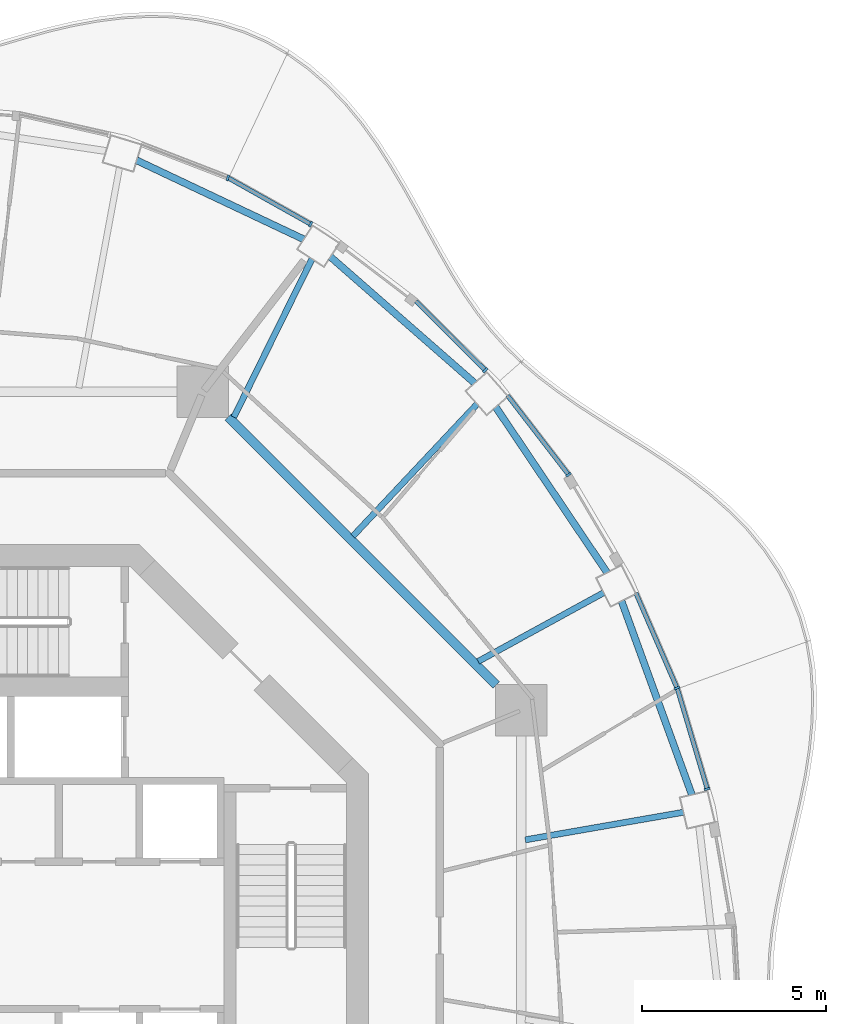
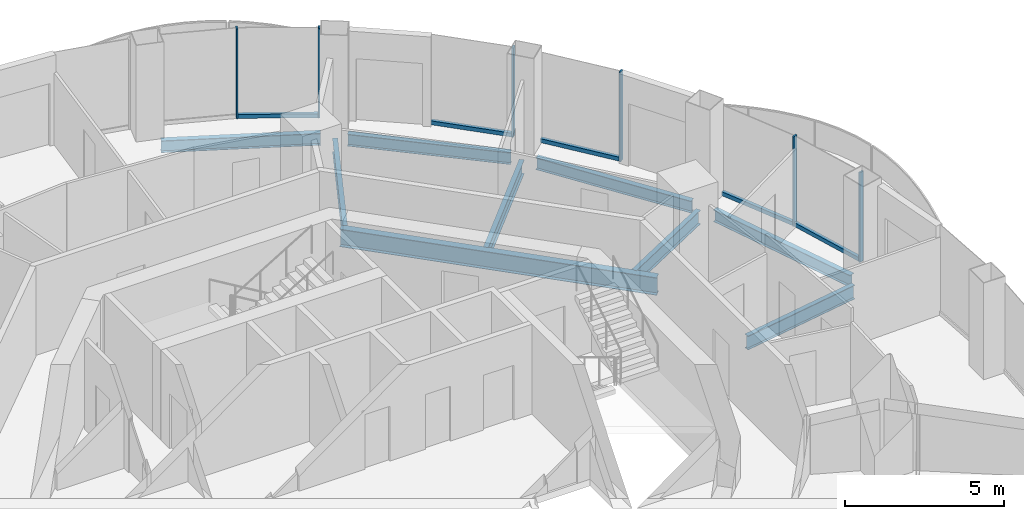
# One storey, part 7 of 17: 11 members, 9 beams, 6 elements without a shape of their own.
"""IFC4 building model written with IfcOpenShell, lengths in metres."""

from ifc_helpers import new_model, si_unit, direction, frame, origin, origin_2d, place, context, subcontext, project, spatial, rectangle, i_section, extrude, material, layer, layer_set, material_profile, profile_set, type_object, element, aggregate, save


model = new_model("IFC4")

# Units and contexts
model_context = context("Model", 3, precision=1e-05, world=origin(), true_north=direction((0.0, 1.0)))
body_context = subcontext(model_context, "Body", "Model", "MODEL_VIEW")
ifc_project = project(units=[si_unit("LENGTHUNIT", "METRE"), si_unit("AREAUNIT", "SQUARE_METRE"), si_unit("VOLUMEUNIT", "CUBIC_METRE"), si_unit("PLANEANGLEUNIT", "RADIAN"), si_unit("MASSUNIT", "GRAM", prefix="KILO")], contexts=[model_context])

# Site, building, storey
site_placement = place(None, origin())
site = spatial("IfcSite", under=ifc_project, at=site_placement, CompositionType="ELEMENT")
building_placement = place(site_placement, origin())
building = spatial("IfcBuilding", under=site, at=building_placement, Name="Nagisa Residences", CompositionType="ELEMENT")
storey_placement = place(building_placement, frame((0.0, 0.0, 265.89990234375)))
storey = spatial("IfcBuildingStorey", under=building, at=storey_placement, Name="L67", CompositionType="ELEMENT", Elevation=265.89990234375)

# Curtain wall, member
ifc_material_1 = material(Name="Concrete-coloured aluminium curtain wall system", Category="concrete")
ifc_layer = layer(ifc_material_1, 0.159912109375)
ifc_layer_set = layer_set([ifc_layer], Name="CW1 CURTAIN WALL")
curtain_wall_type = type_object("IfcCurtainWallType", Name="CW1 CURTAIN WALL", PredefinedType="NOTDEFINED", material=ifc_layer_set)
curtain_wall_1_placement = place(storey_placement, origin())
curtain_wall_1 = element("IfcCurtainWall", 1, at=curtain_wall_1_placement, inside=storey, type_object=curtain_wall_type, Name="cw:CW1:L67:02", PredefinedType="NOTDEFINED")
ifc_material_2 = material(Name="Concrete-coloured aluminium", Category="concrete")
ifc_material_profile_1 = material_profile(ifc_material_2, rectangle(XDim=0.159912109375, YDim=0.06005859375, at=origin_2d()), Name="CW1 MULLION 160x60")
ifc_profile_set_1 = profile_set([ifc_material_profile_1], Name="Concrete-coloured aluminium")
member_type_1 = type_object("IfcMemberType", Name="CW1 MULLION 160x60", PredefinedType="MULLION", material=ifc_profile_set_1)
member_1_placement = place(storey_placement, frame((19.83544921875, 3.9814453125, 0.0), z_axis=(0.0, 0.0, 1.0), x_axis=(-0.958271310082, -0.285860274038, 0.0)))
member_1 = element("IfcMember", 2, at=member_1_placement, type_object=member_type_1, Name="CW1 mullion", PredefinedType="MULLION", context=body_context, shape_type="SweptSolid", body=[
    extrude(rectangle(XDim=0.159912109375, YDim=0.06005859375, at=origin_2d()), origin(), (0.0, 0.0, 1.0), 3.440185546875),
])

curtain_wall_2_placement = place(storey_placement, origin())
curtain_wall_2 = element("IfcCurtainWall", 3, at=curtain_wall_2_placement, inside=storey, type_object=curtain_wall_type, Name="cw:CW1:L67:03", PredefinedType="NOTDEFINED")
member_2_placement = place(storey_placement, frame((19.012939453125, 6.728271484375, 0.0), z_axis=(0.0, 0.0, 1.0), x_axis=(-0.917543276295, -0.397635934147, 0.0)))
member_2 = element("IfcMember", 4, at=member_2_placement, type_object=member_type_1, Name="CW1 mullion", PredefinedType="MULLION", context=body_context, shape_type="SweptSolid", body=[
    extrude(rectangle(XDim=0.159912109375, YDim=0.06005859375, at=origin_2d()), origin(), (0.0, 0.0, 1.0), 3.440185546875),
])

curtain_wall_3_placement = place(storey_placement, origin())
curtain_wall_3 = element("IfcCurtainWall", 5, at=curtain_wall_3_placement, inside=storey, type_object=curtain_wall_type, Name="cw:CW1:L67:05", PredefinedType="NOTDEFINED")
member_3_placement = place(storey_placement, frame((16.06396484375, 12.52685546875, 0.0), z_axis=(0.0, 0.0, 1.0), x_axis=(-0.792070340816, -0.610429828235, 0.0)))
member_3 = element("IfcMember", 6, at=member_3_placement, type_object=member_type_1, Name="CW1 mullion", PredefinedType="MULLION", context=body_context, shape_type="SweptSolid", body=[
    extrude(rectangle(XDim=0.159912109375, YDim=0.06005859375, at=origin_2d()), origin(), (0.0, 0.0, 1.0), 3.440185546875),
])

curtain_wall_4_placement = place(storey_placement, origin())
curtain_wall_4 = element("IfcCurtainWall", 7, at=curtain_wall_4_placement, inside=storey, type_object=curtain_wall_type, Name="cw:CW1:L67:06", PredefinedType="NOTDEFINED")
member_4_placement = place(storey_placement, frame((13.798583984375, 15.36572265625, 0.0), z_axis=(0.0, 0.0, 1.0), x_axis=(-0.706376885714, -0.707835924016, 0.0)))
member_4 = element("IfcMember", 8, at=member_4_placement, type_object=member_type_1, Name="CW1 mullion", PredefinedType="MULLION", context=body_context, shape_type="SweptSolid", body=[
    extrude(rectangle(XDim=0.159912109375, YDim=0.06005859375, at=origin_2d()), origin(), (0.0, 0.0, 1.0), 3.440185546875),
])

curtain_wall_5_placement = place(storey_placement, origin())
curtain_wall_5 = element("IfcCurtainWall", 9, at=curtain_wall_5_placement, inside=storey, type_object=curtain_wall_type, Name="cw:CW1:L67:08", PredefinedType="NOTDEFINED")
member_5_placement = place(storey_placement, frame((9.05224609375, 19.3388671875, 0.0), z_axis=(0.0, 0.0, 1.0), x_axis=(-0.489376918501, -0.872072377523, 0.0)))
member_5 = element("IfcMember", 10, at=member_5_placement, type_object=member_type_1, Name="CW1 mullion", PredefinedType="MULLION", context=body_context, shape_type="SweptSolid", body=[
    extrude(rectangle(XDim=0.159912109375, YDim=0.06005859375, at=origin_2d()), origin(), (0.0, 0.0, 1.0), 3.440185546875),
])

curtain_wall_6_placement = place(storey_placement, origin())
curtain_wall_6 = element("IfcCurtainWall", 11, at=curtain_wall_6_placement, inside=storey, type_object=curtain_wall_type, Name="cw:CW1:L67:09", PredefinedType="NOTDEFINED")
member_6_placement = place(storey_placement, frame((6.799560546875, 20.59912109375, 0.0), z_axis=(0.0, 0.0, 1.0), x_axis=(-0.360327770268, -0.932825759707, 0.0)))
member_6 = element("IfcMember", 12, at=member_6_placement, type_object=member_type_1, Name="CW1 mullion", PredefinedType="MULLION", context=body_context, shape_type="SweptSolid", body=[
    extrude(rectangle(XDim=0.159912109375, YDim=0.06005859375, at=origin_2d()), origin(), (0.0, 0.0, 1.0), 3.440185546875),
])
aggregate(curtain_wall_6, [member_6])

# Member
ifc_material_3 = material(Name="Concrete-coloured aluminium", Category="concrete")
ifc_material_profile_2 = material_profile(ifc_material_3, rectangle(XDim=0.1201171875, YDim=0.14990234375, at=origin_2d()), Name="CW1 TRANSOM 120x150")
ifc_profile_set_2 = profile_set([ifc_material_profile_2], Name="Concrete-coloured aluminium")
member_type_2 = type_object("IfcMemberType", Name="CW1 TRANSOM 120x150", PredefinedType="USERDEFINED", material=ifc_profile_set_2)
member_7_placement = place(storey_placement, frame((19.843994140625, 3.95263671875, 0.0751953125), z_axis=(-0.285876209024, 0.9582665564, 0.0), x_axis=(-0.9582665564, -0.285876209024, 0.0)))
member_7 = element("IfcMember", 13, at=member_7_placement, type_object=member_type_2, Name="CW1 transom", ObjectType="TRANSOM", PredefinedType="USERDEFINED", context=body_context, shape_type="SweptSolid", body=[
    extrude(rectangle(XDim=0.1201171875, YDim=0.14990234375, at=origin_2d()), origin(), (0.0, 0.0, 1.0), 2.877197265625),
])

aggregate(curtain_wall_1, [member_1, member_7])

member_8_placement = place(storey_placement, frame((19.024658203125, 6.70068359375, 0.0751953125), z_axis=(-0.397597791596, 0.9175598052, 0.0), x_axis=(-0.9175598052, -0.397597791596, 0.0)))
member_8 = element("IfcMember", 14, at=member_8_placement, type_object=member_type_2, Name="CW1 transom", ObjectType="TRANSOM", PredefinedType="USERDEFINED", context=body_context, shape_type="SweptSolid", body=[
    extrude(rectangle(XDim=0.1201171875, YDim=0.14990234375, at=origin_2d()), origin(), (0.0, 0.0, 1.0), 2.841064453125),
])

aggregate(curtain_wall_2, [member_2, member_8])

member_9_placement = place(storey_placement, frame((16.082275390625, 12.5029296875, 0.0751953125), z_axis=(-0.610432336622, 0.792068407656, 0.0), x_axis=(-0.792068407656, -0.610432336622, 0.0)))
member_9 = element("IfcMember", 15, at=member_9_placement, type_object=member_type_2, Name="CW1 transom", ObjectType="TRANSOM", PredefinedType="USERDEFINED", context=body_context, shape_type="SweptSolid", body=[
    extrude(rectangle(XDim=0.1201171875, YDim=0.14990234375, at=origin_2d()), origin(), (0.0, 0.0, 1.0), 2.74609375),
])

aggregate(curtain_wall_3, [member_3, member_9])

member_10_placement = place(storey_placement, frame((13.81982421875, 15.344482421875, 0.0751953125), z_axis=(-0.707876975297, 0.706335747251, 0.0), x_axis=(-0.706335747251, -0.707876975297, 0.0)))
member_10 = element("IfcMember", 16, at=member_10_placement, type_object=member_type_2, Name="CW1 transom", ObjectType="TRANSOM", PredefinedType="USERDEFINED", context=body_context, shape_type="SweptSolid", body=[
    extrude(rectangle(XDim=0.1201171875, YDim=0.14990234375, at=origin_2d()), origin(), (0.0, 0.0, 1.0), 2.69287109375),
])

aggregate(curtain_wall_4, [member_4, member_10])

member_11_placement = place(storey_placement, frame((9.078369140625, 19.32421875, 0.0751953125), z_axis=(-0.872052877201, 0.489411666561, 0.0), x_axis=(-0.489411666561, -0.872052877201, 0.0)))
member_11 = element("IfcMember", 17, at=member_11_placement, type_object=member_type_2, Name="CW1 transom", ObjectType="TRANSOM", PredefinedType="USERDEFINED", context=body_context, shape_type="SweptSolid", body=[
    extrude(rectangle(XDim=0.1201171875, YDim=0.14990234375, at=origin_2d()), origin(), (0.0, 0.0, 1.0), 2.593017578125),
])

aggregate(curtain_wall_5, [member_5, member_11])

# Beams
ifc_material_4 = material(Name="Steel ASTM A572 Gr 50", Category="steel")
ifc_material_profile_3 = material_profile(ifc_material_4, i_section(OverallWidth=0.2529296875, OverallDepth=0.677978515625, WebThickness=0.01171875, FlangeThickness=0.016357421875, at=origin_2d()), Name="W690x125")
ifc_profile_set_3 = profile_set([ifc_material_profile_3], Name="Steel ASTM A572 Gr 50")
beam_type_1 = type_object("IfcBeamType", Name="Inner ring beam W690x125", PredefinedType="BEAM", material=ifc_profile_set_3)
beam_1_placement = place(storey_placement, frame((14.09619140625, 6.808837890625, -0.598876953125), z_axis=(-0.707106781187, 0.707106781187, 0.0), x_axis=(-0.707106781187, -0.707106781187, 0.0)))
element("IfcBeam", 18, at=beam_1_placement, inside=storey, type_object=beam_type_1, Name="beam:L67:ib1", PredefinedType="BEAM", context=body_context, shape_type="SweptSolid", body=[
    extrude(i_section(OverallWidth=0.2529296875, OverallDepth=0.677978515625, WebThickness=0.01171875, FlangeThickness=0.016357421875, at=origin_2d()), origin(), (0.0, 0.0, 1.0), 10.305908203125),
])
ifc_material_5 = material(Name="Steel ASTM A572 Gr 50", Category="steel")
ifc_material_profile_4 = material_profile(ifc_material_5, i_section(OverallWidth=0.18994140625, OverallDepth=0.45703125, WebThickness=0.009033203125, FlangeThickness=0.014404296875, at=origin_2d()), Name="W460x74")
ifc_profile_set_4 = profile_set([ifc_material_profile_4], Name="Steel ASTM A572 Gr 50")
beam_type_2 = type_object("IfcBeamType", Name="Perimeter ring beam W460x74", PredefinedType="BEAM", material=ifc_profile_set_4)
beam_2_placement = place(storey_placement, frame((19.41845703125, 3.822021484375, -0.48828125), z_axis=(-0.341211850477, 0.93998642176, 0.0), x_axis=(-0.93998642176, -0.341211850477, 0.0)))
element("IfcBeam", 19, at=beam_2_placement, inside=storey, type_object=beam_type_2, Name="beam:L67:pb02", PredefinedType="BEAM", context=body_context, shape_type="SweptSolid", body=[
    extrude(i_section(OverallWidth=0.18994140625, OverallDepth=0.45703125, WebThickness=0.009033203125, FlangeThickness=0.014404296875, at=origin_2d()), origin(), (0.0, 0.0, 1.0), 5.609619140625),
])
beam_3_placement = place(storey_placement, frame((17.11474609375, 9.862060546875, -0.48828125), z_axis=(-0.558066424866, 0.829796279479, 0.0), x_axis=(-0.829796279479, -0.558066424866, 0.0)))
element("IfcBeam", 20, at=beam_3_placement, inside=storey, type_object=beam_type_2, Name="beam:L67:pb03", PredefinedType="BEAM", context=body_context, shape_type="SweptSolid", body=[
    extrude(i_section(OverallWidth=0.18994140625, OverallDepth=0.45703125, WebThickness=0.009033203125, FlangeThickness=0.014404296875, at=origin_2d()), origin(), (0.0, 0.0, 1.0), 5.43212890625),
])
beam_4_placement = place(storey_placement, frame((13.514892578125, 15.015380859375, -0.48828125), z_axis=(-0.752385480596, 0.658723074279, 0.0), x_axis=(-0.658723074279, -0.752385480596, 0.0)))
element("IfcBeam", 21, at=beam_4_placement, inside=storey, type_object=beam_type_2, Name="beam:L67:pb04", PredefinedType="BEAM", context=body_context, shape_type="SweptSolid", body=[
    extrude(i_section(OverallWidth=0.18994140625, OverallDepth=0.45703125, WebThickness=0.009033203125, FlangeThickness=0.014404296875, at=origin_2d()), origin(), (0.0, 0.0, 1.0), 5.220947265625),
])
beam_5_placement = place(storey_placement, frame((8.8671875, 18.926513671875, -0.48828125), z_axis=(-0.904115893837, 0.427287316113, 0.0), x_axis=(-0.427287316113, -0.904115893837, 0.0)))
element("IfcBeam", 22, at=beam_5_placement, inside=storey, type_object=beam_type_2, Name="beam:L67:pb05", PredefinedType="BEAM", context=body_context, shape_type="SweptSolid", body=[
    extrude(i_section(OverallWidth=0.18994140625, OverallDepth=0.45703125, WebThickness=0.009033203125, FlangeThickness=0.014404296875, at=origin_2d()), origin(), (0.0, 0.0, 1.0), 5.031494140625),
])
ifc_material_6 = material(Name="Steel ASTM A572 Gr 50", Category="steel")
ifc_material_profile_5 = material_profile(ifc_material_6, i_section(OverallWidth=0.166015625, OverallDepth=0.534912109375, WebThickness=0.01025390625, FlangeThickness=0.0166015625, at=origin_2d()), Name="W530x85")
ifc_profile_set_5 = profile_set([ifc_material_profile_5], Name="Steel ASTM A572 Gr 50")
beam_type_3 = type_object("IfcBeamType", Name="Radial beam W530x85", PredefinedType="BEAM", material=ifc_profile_set_5)
beam_6_placement = place(storey_placement, frame((19.191162109375, 3.349365234375, -0.52734375), z_axis=(-0.985114356534, -0.171900275017, 0.0), x_axis=(0.171900275017, -0.985114356534, 0.0)))
element("IfcBeam", 23, at=beam_6_placement, inside=storey, type_object=beam_type_3, Name="beam:L67:rb02", PredefinedType="BEAM", context=body_context, shape_type="SweptSolid", body=[
    extrude(i_section(OverallWidth=0.166015625, OverallDepth=0.534912109375, WebThickness=0.01025390625, FlangeThickness=0.0166015625, at=origin_2d()), origin(), (0.0, 0.0, 1.0), 4.3671875),
])
beam_7_placement = place(storey_placement, frame((17.02294921875, 9.31982421875, -0.52734375), z_axis=(-0.877142169669, -0.480230792628, 0.0), x_axis=(0.480230792628, -0.877142169669, 0.0)))
element("IfcBeam", 24, at=beam_7_placement, inside=storey, type_object=beam_type_3, Name="beam:L67:rb03", PredefinedType="BEAM", context=body_context, shape_type="SweptSolid", body=[
    extrude(i_section(OverallWidth=0.166015625, OverallDepth=0.534912109375, WebThickness=0.01025390625, FlangeThickness=0.0166015625, at=origin_2d()), origin(), (0.0, 0.0, 1.0), 3.894287109375),
])
beam_8_placement = place(storey_placement, frame((13.579833984375, 14.451416015625, -0.52734375), z_axis=(-0.684799688268, -0.728731354442, 0.0), x_axis=(0.728731354442, -0.684799688268, 0.0)))
element("IfcBeam", 25, at=beam_8_placement, inside=storey, type_object=beam_type_3, Name="beam:L67:rb04", PredefinedType="BEAM", context=body_context, shape_type="SweptSolid", body=[
    extrude(i_section(OverallWidth=0.166015625, OverallDepth=0.534912109375, WebThickness=0.01025390625, FlangeThickness=0.0166015625, at=origin_2d()), origin(), (0.0, 0.0, 1.0), 4.934814453125),
])
beam_9_placement = place(storey_placement, frame((9.09033203125, 18.3974609375, -0.52734375), z_axis=(-0.442997846128, -0.896522675857, 0.0), x_axis=(0.896522675857, -0.442997846128, 0.0)))
element("IfcBeam", 26, at=beam_9_placement, inside=storey, type_object=beam_type_3, Name="beam:L67:rb05", PredefinedType="BEAM", context=body_context, shape_type="SweptSolid", body=[
    extrude(i_section(OverallWidth=0.166015625, OverallDepth=0.534912109375, WebThickness=0.01025390625, FlangeThickness=0.0166015625, at=origin_2d()), origin(), (0.0, 0.0, 1.0), 4.80078125),
])

save(model, "model.ifc")
